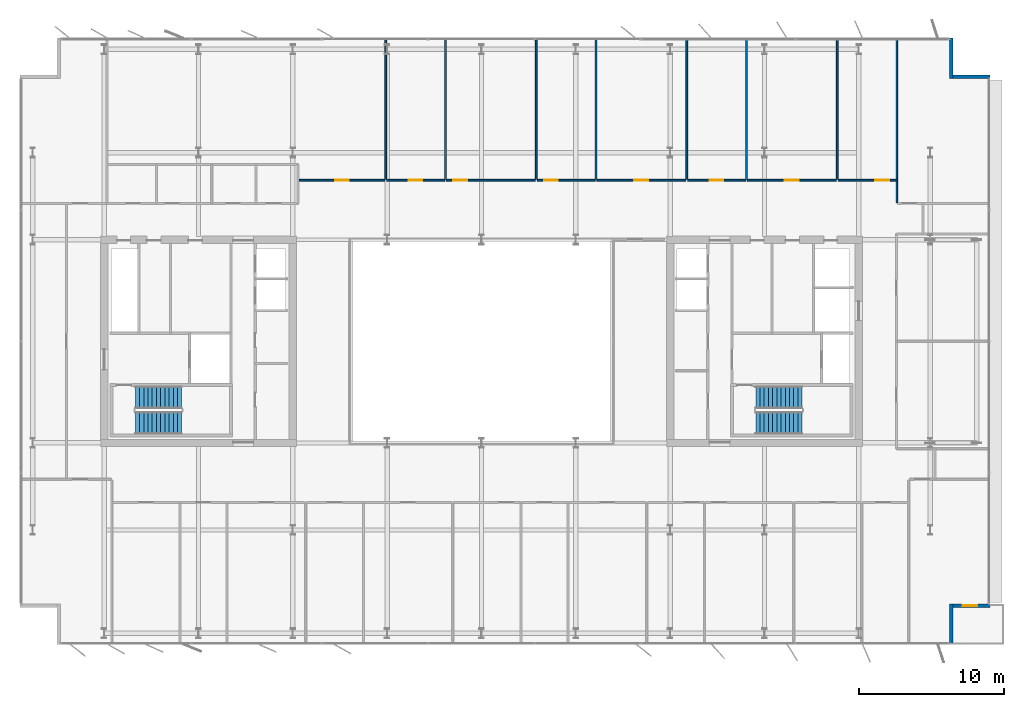
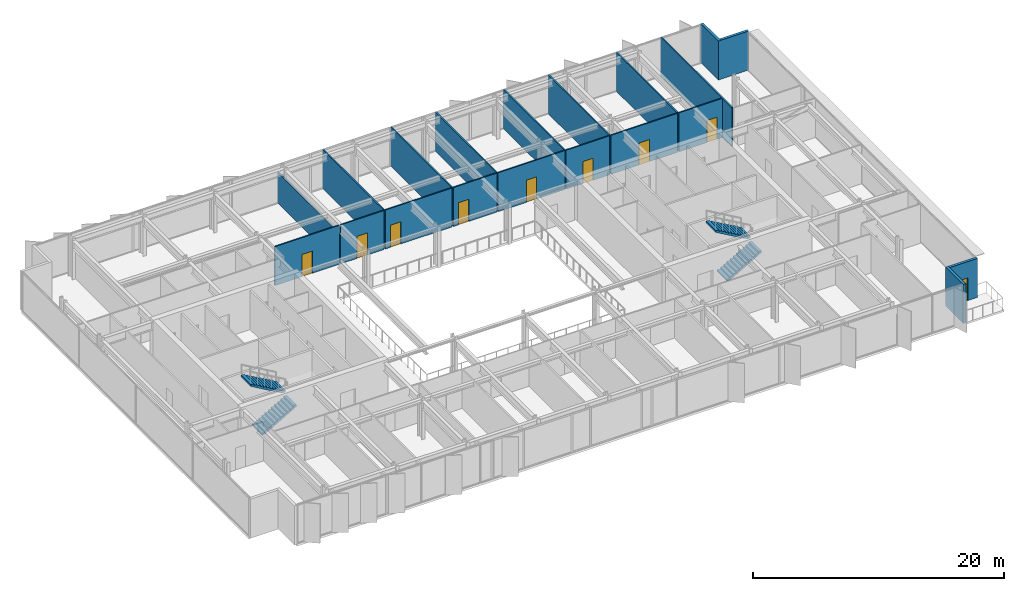
# One storey, part 16 of 20: 20 walls, 9 doors, 4 stair flights, 9 openings, 2 elements without a shape of their own.
"""IFC4 building model written with IfcOpenShell, lengths in metres."""

from ifc_helpers import new_model, si_unit, direction, frame, frame_2d, origin, place, context, subcontext, project, spatial, polyline, rectangle, outline, extrude, material, layer, layer_set, type_object, element, fill, aggregate, save


model = new_model("IFC4")

# Units and contexts
model_context = context("Model", 3, precision=1e-05, world=origin(), true_north=direction((0.0, 1.0)))
body_context = subcontext(model_context, "Body", "Model", "MODEL_VIEW")
ifc_project = project(units=[si_unit("LENGTHUNIT", "METRE"), si_unit("AREAUNIT", "SQUARE_METRE"), si_unit("VOLUMEUNIT", "CUBIC_METRE"), si_unit("PLANEANGLEUNIT", "RADIAN"), si_unit("MASSUNIT", "GRAM", prefix="KILO")], contexts=[model_context])

# Site, building, storey
site_placement = place(None, origin())
site = spatial("IfcSite", under=ifc_project, at=site_placement, CompositionType="ELEMENT")
building_placement = place(site_placement, origin())
building = spatial("IfcBuilding", under=site, at=building_placement, Name="Putna Gate Headquarters", CompositionType="ELEMENT")
storey_placement = place(building_placement, frame((0.0, 0.0, 302.39990234375)))
storey = spatial("IfcBuildingStorey", under=building, at=storey_placement, Name="L76", CompositionType="ELEMENT", Elevation=302.39990234375)

# Walls
ifc_material_1 = material(Name="Precast concrete C40/50", Category="concrete")
ifc_layer_1 = layer(ifc_material_1, 0.239990234375)
ifc_layer_set_1 = layer_set([ifc_layer_1], Name="Precast concrete C40/50")
wall_type_1 = type_object("IfcWallType", Name="WALL-EXT-TERR-240", PredefinedType="STANDARD", material=ifc_layer_set_1)
for number, where, z_axis, x_axis, name in (
    (1, (71.3720703125, 46.89990234375, 0.0), (0.0, 0.0, 1.0), (0.0, -1.0, 0.0), "L76 Corner Notch Return Wall NE-V"),
    (2, (71.252197265625, 44.219970703125, 0.0), (0.0, 0.0, 1.0), (1.0, 0.0, 0.0), "L76 Corner Notch Return Wall NE-H"),
    (3, (71.3720703125, 7.89990234375, 0.0), (0.0, 0.0, 1.0), (0.0, -1.0, 0.0), "L76 Corner Notch Return Wall SE-V"),
):
    element("IfcWall", number, at=place(storey_placement, frame(where, z_axis=z_axis, x_axis=x_axis)), inside=storey, type_object=wall_type_1, Name=name, PredefinedType="STANDARD", context=body_context, shape_type="SweptSolid", body=[
        extrude(rectangle(XDim=2.7998046875, YDim=0.239990234375, at=frame_2d((1.39990234375, 0.0))), origin(), (0.0, 0.0, 1.0), 3.7880859375),
    ])

# Wall, opening, door
wall_1_placement = place(storey_placement, frame((74.052001953125, 7.780029296875, 0.0), z_axis=(0.0, 0.0, 1.0), x_axis=(-1.0, 0.0, 0.0)))
wall_1 = element("IfcWall", 4, at=wall_1_placement, inside=storey, type_object=wall_type_1, Name="L76 Corner Notch Return Wall SE-H", PredefinedType="STANDARD", context=body_context, shape_type="SweptSolid", body=[
    extrude(rectangle(XDim=2.7998046875, YDim=0.239990234375, at=frame_2d((1.39990234375, 0.0))), origin(), (0.0, 0.0, 1.0), 3.7880859375),
])
opening_1_placement = place(wall_1_placement, frame((0.89990234375, 0.0, 0.0)))
opening_1 = element("IfcOpeningElement", 5, at=opening_1_placement, cuts=wall_1, Name="Opening TRD-1", PredefinedType="OPENING", context=body_context, shape_type="SweptSolid", body=[
    extrude(rectangle(XDim=1.0, YDim=2.199951171875, at=frame_2d((0.5, 1.10009765625))), frame((0.0, 0.1298828125, 0.0), z_axis=(0.0, -1.0, 0.0), x_axis=(1.0, 0.0, 0.0)), (0.0, 0.0, 1.0), 0.260009765625),
])
ifc_material_2 = material(Name="Thermally broken bronze glazed terrace door")
door_type_1 = type_object("IfcDoorType", Name="DOOR-TERR-EXT-1000", OperationType="NOTDEFINED", PredefinedType="DOOR", material=ifc_material_2)
door_1_placement = place(opening_1_placement, origin())
door_1 = element("IfcDoor", 6, at=door_1_placement, inside=storey, type_object=door_type_1, Name="L76 Spiral Sky Terrace Door SE", OperationType="SINGLE_SWING_RIGHT", OverallHeight=2.199951171875, OverallWidth=1.0, PredefinedType="DOOR", context=body_context, shape_type="SweptSolid", body=[
    extrude(rectangle(XDim=1.0, YDim=2.199951171875, at=frame_2d((0.5, 1.10009765625))), frame((0.0, 0.02490234375, 0.0), z_axis=(0.0, -1.0, 0.0), x_axis=(1.0, 0.0, 0.0)), (0.0, 0.0, 1.0), 0.050048828125),
])
fill(opening_1, door_1)

# Walls
ifc_material_3 = material(Name="Acoustic gypsum board on metal stud")
ifc_layer_2 = layer(ifc_material_3, 0.1201171875)
ifc_layer_set_2 = layer_set([ifc_layer_2], Name="Acoustic gypsum board on metal stud")
wall_type_2 = type_object("IfcWallType", Name="WALL-PART-120", PredefinedType="PARTITIONING", material=ifc_layer_set_2)
wall_2_placement = place(storey_placement, frame((32.39990234375, 37.159912109375, 0.0), z_axis=(0.0, 0.0, 1.0), x_axis=(0.0, 1.0, 0.0)))
element("IfcWall", 7, at=wall_2_placement, inside=storey, type_object=wall_type_2, Name="L76 Interior Wall PART-L76-NB-DIV-02", PredefinedType="PARTITIONING", context=body_context, shape_type="SweptSolid", body=[
    extrude(rectangle(XDim=9.719970703125, YDim=0.1201171875, at=frame_2d((4.85986328125, 0.0))), origin(), (0.0, 0.0, 1.0), 2.988037109375),
])
for number, where, z_axis, x_axis, name in (
    (8, (36.5166015625, 37.159912109375, 0.0), (0.0, 0.0, 1.0), (0.0, 1.0, 0.0), "L76 Interior Wall PART-L76-NB-DIV-03"),
    (9, (42.76806640625, 37.159912109375, 0.0), (0.0, 0.0, 1.0), (0.0, 1.0, 0.0), "L76 Interior Wall PART-L76-NB-DIV-04"),
    (10, (46.884765625, 37.159912109375, 0.0), (0.0, 0.0, 1.0), (0.0, 1.0, 0.0), "L76 Interior Wall PART-L76-NB-DIV-05"),
    (11, (53.135986328125, 37.159912109375, 0.0), (0.0, 0.0, 1.0), (0.0, 1.0, 0.0), "L76 Interior Wall PART-L76-NB-DIV-06"),
    (12, (57.252685546875, 37.159912109375, 0.0), (0.0, 0.0, 1.0), (0.0, 1.0, 0.0), "L76 Interior Wall PART-L76-NB-DIV-07"),
    (13, (63.504150390625, 37.159912109375, 0.0), (0.0, 0.0, 1.0), (0.0, 1.0, 0.0), "L76 Interior Wall PART-L76-NB-DIV-08"),
):
    element("IfcWall", number, at=place(storey_placement, frame(where, z_axis=z_axis, x_axis=x_axis)), inside=storey, type_object=wall_type_2, Name=name, PredefinedType="PARTITIONING", context=body_context, shape_type="SweptSolid", body=[
        extrude(rectangle(XDim=9.719970703125, YDim=0.1201171875, at=frame_2d((4.85986328125, 0.0))), origin(), (0.0, 0.0, 1.0), 3.7880859375),
    ])
wall_3_placement = place(storey_placement, frame((67.620849609375, 35.56005859375, 0.0), z_axis=(0.0, 0.0, 1.0), x_axis=(0.0, 1.0, 0.0)))
element("IfcWall", 14, at=wall_3_placement, inside=storey, type_object=wall_type_2, Name="L76 Interior Wall PART-L76-NB-DIV-09", PredefinedType="PARTITIONING", context=body_context, shape_type="SweptSolid", body=[
    extrude(rectangle(XDim=11.31982421875, YDim=0.1201171875, at=frame_2d((5.659912109375, 0.0))), origin(), (0.0, 0.0, 1.0), 3.7880859375),
])

# Wall, opening, door
ifc_material_4 = material(Name="Fire-rated gypsum board on metal stud")
ifc_layer_3 = layer(ifc_material_4, 0.1201171875)
ifc_layer_set_3 = layer_set([ifc_layer_3], Name="Fire-rated gypsum board on metal stud")
wall_type_3 = type_object("IfcWallType", Name="WALL-PART-120-RATED", PredefinedType="PARTITIONING", material=ifc_layer_set_3)
wall_4_placement = place(storey_placement, frame((26.419921875, 37.10009765625, 0.0), z_axis=(0.0, 0.0, 1.0), x_axis=(1.0, 0.0, 0.0)))
wall_4 = element("IfcWall", 15, at=wall_4_placement, inside=storey, type_object=wall_type_3, Name="L76 Interior Wall PART-L76-NB-CW-02", PredefinedType="PARTITIONING", context=body_context, shape_type="SweptSolid", body=[
    extrude(rectangle(XDim=5.920166015625, YDim=0.1201171875, at=frame_2d((2.9599609375, 0.0))), origin(), (0.0, 0.0, 1.0), 3.7880859375),
])
opening_2_placement = place(wall_4_placement, frame((2.485107421875, 0.0, 0.0)))
opening_2 = element("IfcOpeningElement", 16, at=opening_2_placement, cuts=wall_4, Name="Opening FD-95", PredefinedType="OPENING", context=body_context, shape_type="SweptSolid", body=[
    extrude(rectangle(XDim=0.949951171875, YDim=2.14990234375, at=frame_2d((0.47509765625, 1.074951171875))), frame((0.0, 0.070068359375, 0.0), z_axis=(0.0, -1.0, 0.0), x_axis=(1.0, 0.0, 0.0)), (0.0, 0.0, 1.0), 0.14013671875),
])
ifc_material_5 = material(Name="Acoustic timber fire door", Category="wood")
door_type_2 = type_object("IfcDoorType", Name="DOOR-FIRE-950", OperationType="NOTDEFINED", PredefinedType="DOOR", material=ifc_material_5)
door_2_placement = place(opening_2_placement, origin())
door_2 = element("IfcDoor", 17, at=door_2_placement, inside=storey, type_object=door_type_2, Name="L76 Primary Open Office Workplace Door", OperationType="SINGLE_SWING_LEFT", OverallHeight=2.14990234375, OverallWidth=0.949951171875, PredefinedType="DOOR", context=body_context, shape_type="SweptSolid", body=[
    extrude(rectangle(XDim=0.949951171875, YDim=2.14990234375, at=frame_2d((0.47509765625, 1.074951171875))), frame((0.0, 0.02490234375, 0.0), z_axis=(0.0, -1.0, 0.0), x_axis=(1.0, 0.0, 0.0)), (0.0, 0.0, 1.0), 0.050048828125),
])
fill(opening_2, door_2)

wall_5_placement = place(storey_placement, frame((32.4599609375, 37.10009765625, 0.0), z_axis=(0.0, 0.0, 1.0), x_axis=(1.0, 0.0, 0.0)))
wall_5 = element("IfcWall", 18, at=wall_5_placement, inside=storey, type_object=wall_type_3, Name="L76 Interior Wall PART-L76-NB-CW-03", PredefinedType="PARTITIONING", context=body_context, shape_type="SweptSolid", body=[
    extrude(rectangle(XDim=3.996826171875, YDim=0.1201171875, at=frame_2d((1.99853515625, 0.0))), origin(), (0.0, 0.0, 1.0), 3.7880859375),
])
opening_3_placement = place(wall_5_placement, frame((1.523193359375, 0.0, 0.0)))
opening_3 = element("IfcOpeningElement", 19, at=opening_3_placement, cuts=wall_5, Name="Opening FD-95", PredefinedType="OPENING", context=body_context, shape_type="SweptSolid", body=[
    extrude(rectangle(XDim=0.949951171875, YDim=2.14990234375, at=frame_2d((0.47509765625, 1.074951171875))), frame((0.0, 0.070068359375, 0.0), z_axis=(0.0, -1.0, 0.0), x_axis=(1.0, 0.0, 0.0)), (0.0, 0.0, 1.0), 0.14013671875),
])
door_3_placement = place(opening_3_placement, origin())
door_3 = element("IfcDoor", 20, at=door_3_placement, inside=storey, type_object=door_type_2, Name="L76 Cellular Office 8 Door", OperationType="SINGLE_SWING_RIGHT", OverallHeight=2.14990234375, OverallWidth=0.949951171875, PredefinedType="DOOR", context=body_context, shape_type="SweptSolid", body=[
    extrude(rectangle(XDim=0.949951171875, YDim=2.14990234375, at=frame_2d((0.47509765625, 1.074951171875))), frame((0.0, 0.02490234375, 0.0), z_axis=(0.0, -1.0, 0.0), x_axis=(1.0, 0.0, 0.0)), (0.0, 0.0, 1.0), 0.050048828125),
])
fill(opening_3, door_3)

wall_6_placement = place(storey_placement, frame((36.57666015625, 37.10009765625, 0.0), z_axis=(0.0, 0.0, 1.0), x_axis=(1.0, 0.0, 0.0)))
wall_6 = element("IfcWall", 21, at=wall_6_placement, inside=storey, type_object=wall_type_3, Name="L76 Interior Wall PART-L76-NB-CW-04", PredefinedType="PARTITIONING", context=body_context, shape_type="SweptSolid", body=[
    extrude(rectangle(XDim=6.13134765625, YDim=0.1201171875, at=frame_2d((3.065673828125, 0.0))), origin(), (0.0, 0.0, 1.0), 3.7880859375),
])
opening_4_placement = place(wall_6_placement, frame((0.47998046875, 0.0, 0.0)))
opening_4 = element("IfcOpeningElement", 22, at=opening_4_placement, cuts=wall_6, Name="Opening FD-95", PredefinedType="OPENING", context=body_context, shape_type="SweptSolid", body=[
    extrude(rectangle(XDim=0.949951171875, YDim=2.14990234375, at=frame_2d((0.47509765625, 1.074951171875))), frame((0.0, 0.070068359375, 0.0), z_axis=(0.0, -1.0, 0.0), x_axis=(1.0, 0.0, 0.0)), (0.0, 0.0, 1.0), 0.14013671875),
])
door_4_placement = place(opening_4_placement, origin())
door_4 = element("IfcDoor", 23, at=door_4_placement, inside=storey, type_object=door_type_2, Name="L76 Cellular Office 9 Door", OperationType="SINGLE_SWING_LEFT", OverallHeight=2.14990234375, OverallWidth=0.949951171875, PredefinedType="DOOR", context=body_context, shape_type="SweptSolid", body=[
    extrude(rectangle(XDim=0.949951171875, YDim=2.14990234375, at=frame_2d((0.47509765625, 1.074951171875))), frame((0.0, 0.02490234375, 0.0), z_axis=(0.0, -1.0, 0.0), x_axis=(1.0, 0.0, 0.0)), (0.0, 0.0, 1.0), 0.050048828125),
])
fill(opening_4, door_4)

wall_7_placement = place(storey_placement, frame((42.827880859375, 37.10009765625, 0.0), z_axis=(0.0, 0.0, 1.0), x_axis=(1.0, 0.0, 0.0)))
wall_7 = element("IfcWall", 24, at=wall_7_placement, inside=storey, type_object=wall_type_3, Name="L76 Interior Wall PART-L76-NB-CW-05", PredefinedType="PARTITIONING", context=body_context, shape_type="SweptSolid", body=[
    extrude(rectangle(XDim=3.996826171875, YDim=0.1201171875, at=frame_2d((1.99853515625, 0.0))), origin(), (0.0, 0.0, 1.0), 3.7880859375),
])
opening_5_placement = place(wall_7_placement, frame((0.47998046875, 0.0, 0.0)))
opening_5 = element("IfcOpeningElement", 25, at=opening_5_placement, cuts=wall_7, Name="Opening FD-95", PredefinedType="OPENING", context=body_context, shape_type="SweptSolid", body=[
    extrude(rectangle(XDim=0.949951171875, YDim=2.14990234375, at=frame_2d((0.47509765625, 1.074951171875))), frame((0.0, 0.070068359375, 0.0), z_axis=(0.0, -1.0, 0.0), x_axis=(1.0, 0.0, 0.0)), (0.0, 0.0, 1.0), 0.14013671875),
])
door_5_placement = place(opening_5_placement, origin())
door_5 = element("IfcDoor", 26, at=door_5_placement, inside=storey, type_object=door_type_2, Name="L76 Conference Meeting Room 1 Door", OperationType="SINGLE_SWING_RIGHT", OverallHeight=2.14990234375, OverallWidth=0.949951171875, PredefinedType="DOOR", context=body_context, shape_type="SweptSolid", body=[
    extrude(rectangle(XDim=0.949951171875, YDim=2.14990234375, at=frame_2d((0.47509765625, 1.074951171875))), frame((0.0, 0.02490234375, 0.0), z_axis=(0.0, -1.0, 0.0), x_axis=(1.0, 0.0, 0.0)), (0.0, 0.0, 1.0), 0.050048828125),
])
fill(opening_5, door_5)

wall_8_placement = place(storey_placement, frame((46.944580078125, 37.10009765625, 0.0), z_axis=(0.0, 0.0, 1.0), x_axis=(1.0, 0.0, 0.0)))
wall_8 = element("IfcWall", 27, at=wall_8_placement, inside=storey, type_object=wall_type_3, Name="L76 Interior Wall PART-L76-NB-CW-06", PredefinedType="PARTITIONING", context=body_context, shape_type="SweptSolid", body=[
    extrude(rectangle(XDim=6.131591796875, YDim=0.1201171875, at=frame_2d((3.06591796875, 0.0))), origin(), (0.0, 0.0, 1.0), 3.7880859375),
])
opening_6_placement = place(wall_8_placement, frame((2.5908203125, 0.0, 0.0)))
opening_6 = element("IfcOpeningElement", 28, at=opening_6_placement, cuts=wall_8, Name="Opening FD-95", PredefinedType="OPENING", context=body_context, shape_type="SweptSolid", body=[
    extrude(rectangle(XDim=0.949951171875, YDim=2.14990234375, at=frame_2d((0.47509765625, 1.074951171875))), frame((0.0, 0.070068359375, 0.0), z_axis=(0.0, -1.0, 0.0), x_axis=(1.0, 0.0, 0.0)), (0.0, 0.0, 1.0), 0.14013671875),
])
door_6_placement = place(opening_6_placement, origin())
door_6 = element("IfcDoor", 29, at=door_6_placement, inside=storey, type_object=door_type_2, Name="L76 Conference Meeting Room 2 Door", OperationType="SINGLE_SWING_LEFT", OverallHeight=2.14990234375, OverallWidth=0.949951171875, PredefinedType="DOOR", context=body_context, shape_type="SweptSolid", body=[
    extrude(rectangle(XDim=0.949951171875, YDim=2.14990234375, at=frame_2d((0.47509765625, 1.074951171875))), frame((0.0, 0.02490234375, 0.0), z_axis=(0.0, -1.0, 0.0), x_axis=(1.0, 0.0, 0.0)), (0.0, 0.0, 1.0), 0.050048828125),
])
fill(opening_6, door_6)

wall_9_placement = place(storey_placement, frame((53.196044921875, 37.10009765625, 0.0), z_axis=(0.0, 0.0, 1.0), x_axis=(1.0, 0.0, 0.0)))
wall_9 = element("IfcWall", 30, at=wall_9_placement, inside=storey, type_object=wall_type_3, Name="L76 Interior Wall PART-L76-NB-CW-07", PredefinedType="PARTITIONING", context=body_context, shape_type="SweptSolid", body=[
    extrude(rectangle(XDim=3.996826171875, YDim=0.1201171875, at=frame_2d((1.99853515625, 0.0))), origin(), (0.0, 0.0, 1.0), 3.7880859375),
])
opening_7_placement = place(wall_9_placement, frame((1.5234375, 0.0, 0.0)))
opening_7 = element("IfcOpeningElement", 31, at=opening_7_placement, cuts=wall_9, Name="Opening FD-95", PredefinedType="OPENING", context=body_context, shape_type="SweptSolid", body=[
    extrude(rectangle(XDim=0.949951171875, YDim=2.14990234375, at=frame_2d((0.47509765625, 1.074951171875))), frame((0.0, 0.070068359375, 0.0), z_axis=(0.0, -1.0, 0.0), x_axis=(1.0, 0.0, 0.0)), (0.0, 0.0, 1.0), 0.14013671875),
])
door_7_placement = place(opening_7_placement, origin())
door_7 = element("IfcDoor", 32, at=door_7_placement, inside=storey, type_object=door_type_2, Name="L76 Conference Meeting Room 3 Door", OperationType="SINGLE_SWING_RIGHT", OverallHeight=2.14990234375, OverallWidth=0.949951171875, PredefinedType="DOOR", context=body_context, shape_type="SweptSolid", body=[
    extrude(rectangle(XDim=0.949951171875, YDim=2.14990234375, at=frame_2d((0.47509765625, 1.074951171875))), frame((0.0, 0.02490234375, 0.0), z_axis=(0.0, -1.0, 0.0), x_axis=(1.0, 0.0, 0.0)), (0.0, 0.0, 1.0), 0.050048828125),
])
fill(opening_7, door_7)

wall_10_placement = place(storey_placement, frame((57.312744140625, 37.10009765625, 0.0), z_axis=(0.0, 0.0, 1.0), x_axis=(1.0, 0.0, 0.0)))
wall_10 = element("IfcWall", 33, at=wall_10_placement, inside=storey, type_object=wall_type_3, Name="L76 Interior Wall PART-L76-NB-CW-08", PredefinedType="PARTITIONING", context=body_context, shape_type="SweptSolid", body=[
    extrude(rectangle(XDim=6.13134765625, YDim=0.1201171875, at=frame_2d((3.065673828125, 0.0))), origin(), (0.0, 0.0, 1.0), 3.7880859375),
])
opening_8_placement = place(wall_10_placement, frame((2.590576171875, 0.0, 0.0)))
opening_8 = element("IfcOpeningElement", 34, at=opening_8_placement, cuts=wall_10, Name="Opening FD-95", PredefinedType="OPENING", context=body_context, shape_type="SweptSolid", body=[
    extrude(rectangle(XDim=0.949951171875, YDim=2.14990234375, at=frame_2d((0.47509765625, 1.074951171875))), frame((0.0, 0.070068359375, 0.0), z_axis=(0.0, -1.0, 0.0), x_axis=(1.0, 0.0, 0.0)), (0.0, 0.0, 1.0), 0.14013671875),
])
door_8_placement = place(opening_8_placement, origin())
door_8 = element("IfcDoor", 35, at=door_8_placement, inside=storey, type_object=door_type_2, Name="L76 Conference Meeting Room 4 Door", OperationType="SINGLE_SWING_LEFT", OverallHeight=2.14990234375, OverallWidth=0.949951171875, PredefinedType="DOOR", context=body_context, shape_type="SweptSolid", body=[
    extrude(rectangle(XDim=0.949951171875, YDim=2.14990234375, at=frame_2d((0.47509765625, 1.074951171875))), frame((0.0, 0.02490234375, 0.0), z_axis=(0.0, -1.0, 0.0), x_axis=(1.0, 0.0, 0.0)), (0.0, 0.0, 1.0), 0.050048828125),
])
fill(opening_8, door_8)

wall_11_placement = place(storey_placement, frame((63.564208984375, 37.10009765625, 0.0), z_axis=(0.0, 0.0, 1.0), x_axis=(1.0, 0.0, 0.0)))
wall_11 = element("IfcWall", 36, at=wall_11_placement, inside=storey, type_object=wall_type_3, Name="L76 Interior Wall PART-L76-NB-CW-09", PredefinedType="PARTITIONING", context=body_context, shape_type="SweptSolid", body=[
    extrude(rectangle(XDim=3.99658203125, YDim=0.1201171875, at=frame_2d((1.998291015625, 0.0))), origin(), (0.0, 0.0, 1.0), 3.7880859375),
])
opening_9_placement = place(wall_11_placement, frame((2.566650390625, 0.0, 0.0)))
opening_9 = element("IfcOpeningElement", 37, at=opening_9_placement, cuts=wall_11, Name="Opening FD-95", PredefinedType="OPENING", context=body_context, shape_type="SweptSolid", body=[
    extrude(rectangle(XDim=0.949951171875, YDim=2.14990234375, at=frame_2d((0.47509765625, 1.074951171875))), frame((0.0, 0.070068359375, 0.0), z_axis=(0.0, -1.0, 0.0), x_axis=(1.0, 0.0, 0.0)), (0.0, 0.0, 1.0), 0.14013671875),
])
door_9_placement = place(opening_9_placement, origin())
door_9 = element("IfcDoor", 38, at=door_9_placement, inside=storey, type_object=door_type_2, Name="L76 Conference Meeting Room 5 Door", OperationType="SINGLE_SWING_RIGHT", OverallHeight=2.14990234375, OverallWidth=0.949951171875, PredefinedType="DOOR", context=body_context, shape_type="SweptSolid", body=[
    extrude(rectangle(XDim=0.949951171875, YDim=2.14990234375, at=frame_2d((0.47509765625, 1.074951171875))), frame((0.0, 0.02490234375, 0.0), z_axis=(0.0, -1.0, 0.0), x_axis=(1.0, 0.0, 0.0)), (0.0, 0.0, 1.0), 0.050048828125),
])
fill(opening_9, door_9)

# Stair, stair flights
ifc_material_6 = material(Name="Concrete C40/50", Category="concrete")
stair_type_1 = type_object("IfcStairType", Name="STAIR-ST1", PredefinedType="HALF_TURN_STAIR", material=ifc_material_6)
stair_1_placement = place(storey_placement, origin())
stair_1 = element("IfcStair", 39, at=stair_1_placement, inside=storey, type_object=stair_type_1, Name="L76 West Core Exit Stair ST1", PredefinedType="HALF_TURN_STAIR")
stair_flight_type_1 = type_object("IfcStairFlightType", Name="FLIGHT-ST1", PredefinedType="STRAIGHT", material=ifc_material_6)
stair_flight_1_placement = place(storey_placement, frame((15.14990234375, 20.375, 0.0), z_axis=(0.0, 0.0, 1.0), x_axis=(1.0, 0.0, 0.0)))
stair_flight_1 = element("IfcStairFlight", 40, at=stair_flight_1_placement, type_object=stair_flight_type_1, Name="ST1 flight 1", NumberOfRisers=12, NumberOfTreads=11, PredefinedType="STRAIGHT", RiserHeight=0.166666667, TreadLength=0.29, context=body_context, shape_type="SweptSolid", body=[
    extrude(outline(polyline([(0.0, 0.0), (0.0, 0.166748046875), (0.2900390625, 0.166748046875), (0.2900390625, 0.333251953125), (0.580078125, 0.333251953125), (0.580078125, 0.5), (0.8701171875, 0.5), (0.8701171875, 0.666748046875), (1.159912109375, 0.666748046875), (1.159912109375, 0.833251953125), (1.449951171875, 0.833251953125), (1.449951171875, 1.0), (1.739990234375, 1.0), (1.739990234375, 1.166748046875), (2.030029296875, 1.166748046875), (2.030029296875, 1.333251953125), (2.320068359375, 1.333251953125), (2.320068359375, 1.5), (2.610107421875, 1.5), (2.610107421875, 1.666748046875), (2.89990234375, 1.666748046875), (2.89990234375, 1.833251953125), (3.18994140625, 1.833251953125), (3.18994140625, 2.0), (3.18994140625, 1.660400390625), (0.30078125, 0.0), (0.0, 0.0)])), frame((0.0, 0.77490234375, 0.0), z_axis=(0.0, -1.0, 0.0), x_axis=(1.0, 0.0, 0.0)), (0.0, 0.0, 1.0), 1.550048828125),
])
stair_flight_2_placement = place(storey_placement, frame((18.340087890625, 22.125, 2.0), z_axis=(0.0, 0.0, 1.0), x_axis=(-1.0, 0.0, 0.0)))
stair_flight_2 = element("IfcStairFlight", 41, at=stair_flight_2_placement, type_object=stair_flight_type_1, Name="ST1 flight 2", NumberOfRisers=12, NumberOfTreads=11, PredefinedType="STRAIGHT", RiserHeight=0.166666667, TreadLength=0.29, context=body_context, shape_type="SweptSolid", body=[
    extrude(outline(polyline([(0.0, 0.0), (0.0, 0.166748046875), (0.2900390625, 0.166748046875), (0.2900390625, 0.333251953125), (0.580078125, 0.333251953125), (0.580078125, 0.5), (0.8701171875, 0.5), (0.8701171875, 0.666748046875), (1.159912109375, 0.666748046875), (1.159912109375, 0.833251953125), (1.449951171875, 0.833251953125), (1.449951171875, 1.0), (1.739990234375, 1.0), (1.739990234375, 1.166748046875), (2.030029296875, 1.166748046875), (2.030029296875, 1.333251953125), (2.320068359375, 1.333251953125), (2.320068359375, 1.5), (2.610107421875, 1.5), (2.610107421875, 1.666748046875), (2.89990234375, 1.666748046875), (2.89990234375, 1.833251953125), (3.18994140625, 1.833251953125), (3.18994140625, 2.0), (3.18994140625, 1.660400390625), (0.30078125, 0.0), (0.0, 0.0)])), frame((0.0, 0.77490234375, 0.0), z_axis=(0.0, -1.0, 0.0), x_axis=(1.0, 0.0, 0.0)), (0.0, 0.0, 1.0), 1.550048828125),
])
aggregate(stair_1, [stair_flight_1, stair_flight_2])

stair_type_2 = type_object("IfcStairType", Name="STAIR-ST2", PredefinedType="HALF_TURN_STAIR", material=ifc_material_6)
stair_2_placement = place(storey_placement, origin())
stair_2 = element("IfcStair", 42, at=stair_2_placement, inside=storey, type_object=stair_type_2, Name="L76 East Core Exit Stair ST2", PredefinedType="HALF_TURN_STAIR")
stair_flight_type_2 = type_object("IfcStairFlightType", Name="FLIGHT-ST2", PredefinedType="STRAIGHT", material=ifc_material_6)
stair_flight_3_placement = place(storey_placement, frame((57.89990234375, 20.375, 0.0), z_axis=(0.0, 0.0, 1.0), x_axis=(1.0, 0.0, 0.0)))
stair_flight_3 = element("IfcStairFlight", 43, at=stair_flight_3_placement, type_object=stair_flight_type_2, Name="ST2 flight 1", NumberOfRisers=12, NumberOfTreads=11, PredefinedType="STRAIGHT", RiserHeight=0.166666667, TreadLength=0.29, context=body_context, shape_type="SweptSolid", body=[
    extrude(outline(polyline([(0.0, 0.0), (0.0, 0.166748046875), (0.2900390625, 0.166748046875), (0.2900390625, 0.333251953125), (0.580078125, 0.333251953125), (0.580078125, 0.5), (0.8701171875, 0.5), (0.8701171875, 0.666748046875), (1.159912109375, 0.666748046875), (1.159912109375, 0.833251953125), (1.449951171875, 0.833251953125), (1.449951171875, 1.0), (1.739990234375, 1.0), (1.739990234375, 1.166748046875), (2.030029296875, 1.166748046875), (2.030029296875, 1.333251953125), (2.320068359375, 1.333251953125), (2.320068359375, 1.5), (2.610107421875, 1.5), (2.610107421875, 1.666748046875), (2.89990234375, 1.666748046875), (2.89990234375, 1.833251953125), (3.18994140625, 1.833251953125), (3.18994140625, 2.0), (3.18994140625, 1.660400390625), (0.30078125, 0.0), (0.0, 0.0)])), frame((0.0, 0.77490234375, 0.0), z_axis=(0.0, -1.0, 0.0), x_axis=(1.0, 0.0, 0.0)), (0.0, 0.0, 1.0), 1.550048828125),
])
stair_flight_4_placement = place(storey_placement, frame((61.090087890625, 22.125, 2.0), z_axis=(0.0, 0.0, 1.0), x_axis=(-1.0, 0.0, 0.0)))
stair_flight_4 = element("IfcStairFlight", 44, at=stair_flight_4_placement, type_object=stair_flight_type_2, Name="ST2 flight 2", NumberOfRisers=12, NumberOfTreads=11, PredefinedType="STRAIGHT", RiserHeight=0.166666667, TreadLength=0.29, context=body_context, shape_type="SweptSolid", body=[
    extrude(outline(polyline([(0.0, 0.0), (0.0, 0.166748046875), (0.2900390625, 0.166748046875), (0.2900390625, 0.333251953125), (0.580078125, 0.333251953125), (0.580078125, 0.5), (0.8701171875, 0.5), (0.8701171875, 0.666748046875), (1.159912109375, 0.666748046875), (1.159912109375, 0.833251953125), (1.449951171875, 0.833251953125), (1.449951171875, 1.0), (1.739990234375, 1.0), (1.739990234375, 1.166748046875), (2.030029296875, 1.166748046875), (2.030029296875, 1.333251953125), (2.320068359375, 1.333251953125), (2.320068359375, 1.5), (2.610107421875, 1.5), (2.610107421875, 1.666748046875), (2.89990234375, 1.666748046875), (2.89990234375, 1.833251953125), (3.18994140625, 1.833251953125), (3.18994140625, 2.0), (3.18994140625, 1.660400390625), (0.30078125, 0.0), (0.0, 0.0)])), frame((0.0, 0.77490234375, 0.0), z_axis=(0.0, -1.0, 0.0), x_axis=(1.0, 0.0, 0.0)), (0.0, 0.0, 1.0), 1.550048828125),
])
aggregate(stair_2, [stair_flight_3, stair_flight_4])

save(model, "model.ifc")
